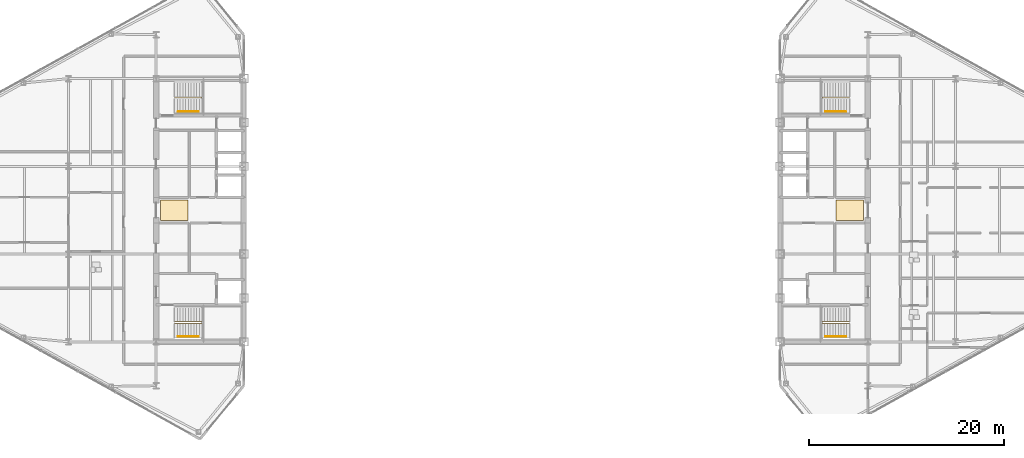
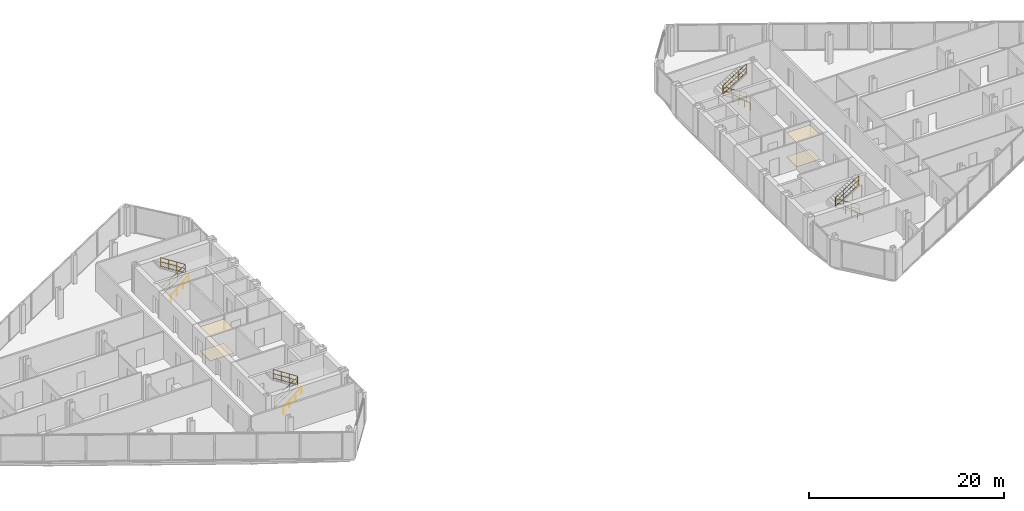
# One storey, part 25 of 26: 8 railings, 4 coverings.
"""IFC4 building model written with IfcOpenShell, lengths in metres."""

from ifc_helpers import new_model, si_unit, direction, frame, origin, origin_2d, place, context, subcontext, project, spatial, polyline, circle, outline, extrude, material, layer, layer_set, type_object, element, save


model = new_model("IFC4")

# Units and contexts
model_context = context("Model", 3, precision=1e-05, world=origin(), true_north=direction((0.0, 1.0)))
body_context = subcontext(model_context, "Body", "Model", "MODEL_VIEW")
ifc_project = project(units=[si_unit("LENGTHUNIT", "METRE"), si_unit("AREAUNIT", "SQUARE_METRE"), si_unit("VOLUMEUNIT", "CUBIC_METRE"), si_unit("PLANEANGLEUNIT", "RADIAN"), si_unit("MASSUNIT", "GRAM", prefix="KILO")], contexts=[model_context])

# Site, building, storey
site_placement = place(None, origin())
site = spatial("IfcSite", under=ifc_project, at=site_placement, CompositionType="ELEMENT")
building_placement = place(site_placement, origin())
building = spatial("IfcBuilding", under=site, at=building_placement, Name="Seokmaru Belvedere", CompositionType="ELEMENT")
storey_placement = place(building_placement, frame((0.0, 0.0, 170.699951171875)))
storey = spatial("IfcBuildingStorey", under=building, at=storey_placement, Name="L45", CompositionType="ELEMENT", Elevation=170.699951171875)

# Coverings
ifc_material_1 = material(Name="Engineered White Oak Timber", Category="wood")
ifc_layer_1 = layer(ifc_material_1, 0.02197265625)
ifc_layer_set_1 = layer_set([ifc_layer_1], Name="Engineered White Oak Timber")
covering_type_1 = type_object("IfcCoveringType", Name="Engineered Oak Residence Floor Finish 22", PredefinedType="FLOORING", material=ifc_layer_set_1)
covering_1_placement = place(storey_placement, origin())
element("IfcCovering", 1, at=covering_1_placement, inside=storey, type_object=covering_type_1, Name="L45 W Foyer Floor Finish", PredefinedType="FLOORING", context=body_context, shape_type="SweptSolid", body=[
    extrude(outline(polyline([(-36.050048828125, -1.050048828125), (-33.25, -1.050048828125), (-33.25, 1.050048828125), (-36.050048828125, 1.050048828125), (-36.050048828125, -1.050048828125)])), origin(), (0.0, 0.0, 1.0), 0.02197265625),
])
covering_2_placement = place(storey_placement, origin())
element("IfcCovering", 2, at=covering_2_placement, inside=storey, type_object=covering_type_1, Name="L45 E Foyer Floor Finish", PredefinedType="FLOORING", context=body_context, shape_type="SweptSolid", body=[
    extrude(outline(polyline([(33.25, -1.050048828125), (36.050048828125, -1.050048828125), (36.050048828125, 1.050048828125), (33.25, 1.050048828125), (33.25, -1.050048828125)])), origin(), (0.0, 0.0, 1.0), 0.02197265625),
])
ifc_material_2 = material(Name="Fire-Rated Gypsum Shaftwall")
ifc_layer_2 = layer(ifc_material_2, 0.02490234375)
ifc_layer_set_2 = layer_set([ifc_layer_2], Name="Fire-Rated Gypsum Shaftwall")
covering_type_2 = type_object("IfcCoveringType", Name="Perforated Acoustic Gypsum Suspended Ceiling 25", PredefinedType="CEILING", material=ifc_layer_set_2)
covering_3_placement = place(storey_placement, frame((0.0, 0.0, 3.030029296875)))
element("IfcCovering", 3, at=covering_3_placement, inside=storey, type_object=covering_type_2, Name="L45 W Lift Foyer Acoustic Ceiling", PredefinedType="CEILING", context=body_context, shape_type="SweptSolid", body=[
    extrude(outline(polyline([(-36.050048828125, -1.050048828125), (-33.25, -1.050048828125), (-33.25, 1.050048828125), (-36.050048828125, 1.050048828125), (-36.050048828125, -1.050048828125)])), origin(), (0.0, 0.0, 1.0), 0.02490234375),
])
covering_4_placement = place(storey_placement, frame((0.0, 0.0, 3.030029296875)))
element("IfcCovering", 4, at=covering_4_placement, inside=storey, type_object=covering_type_2, Name="L45 E Lift Foyer Acoustic Ceiling", PredefinedType="CEILING", context=body_context, shape_type="SweptSolid", body=[
    extrude(outline(polyline([(33.25, -1.050048828125), (36.050048828125, -1.050048828125), (36.050048828125, 1.050048828125), (33.25, 1.050048828125), (33.25, -1.050048828125)])), origin(), (0.0, 0.0, 1.0), 0.02490234375),
])

# Railings
ifc_material_3 = material(Name="Stainless Steel 316", Category="steel")
railing_type_1 = type_object("IfcRailingType", Name="Stainless Steel Wall and Flight Handrail 900", PredefinedType="HANDRAIL", material=ifc_material_3)
for number, where, name in (
    (5, (-34.25, -12.949951171875, 0.0), "L45 Stair ST-W1 Wall Handrail"),
    (6, (-34.25, 10.110107421875, 0.0), "L45 Stair ST-W2 Wall Handrail"),
):
    element("IfcRailing", number, at=place(storey_placement, frame(where)), inside=storey, type_object=railing_type_1, Name=name, PredefinedType="HANDRAIL", context=body_context, shape_type="SweptSolid", body=[
        extrude(circle(Radius=0.02392578125, at=origin_2d()), frame((0.0, 0.0, 0.8759765625), z_axis=(0.759262832861, 0.0, 0.650784104474), x_axis=(0.0, 1.0, 0.0)), (0.0, 0.0, 1.0), 2.765869140625),
        extrude(circle(Radius=0.02099609375, at=origin_2d()), origin(), (0.0, 0.0, 1.0), 0.851806640625),
        extrude(circle(Radius=0.02099609375, at=origin_2d()), frame((0.699951171875, 0.0, 0.60009765625)), (0.0, 0.0, 1.0), 0.851806640625),
        extrude(circle(Radius=0.02099609375, at=origin_2d()), frame((1.400146484375, 0.0, 1.199951171875)), (0.0, 0.0, 1.0), 0.851806640625),
        extrude(circle(Radius=0.02099609375, at=origin_2d()), frame((2.10009765625, 0.0, 1.800048828125)), (0.0, 0.0, 1.0), 0.851806640625),
    ])
for number, where, name in (
    (7, (34.25, -12.949951171875, 0.0), "L45 Stair ST-E1 Wall Handrail"),
    (8, (34.25, 10.110107421875, 0.0), "L45 Stair ST-E2 Wall Handrail"),
):
    element("IfcRailing", number, at=place(storey_placement, frame(where)), inside=storey, type_object=railing_type_1, Name=name, PredefinedType="HANDRAIL", context=body_context, shape_type="SweptSolid", body=[
        extrude(circle(Radius=0.02392578125, at=origin_2d()), frame((0.0, 0.0, 0.8759765625), z_axis=(-0.759262832861, 0.0, 0.650784104474), x_axis=(0.0, -1.0, 0.0)), (0.0, 0.0, 1.0), 2.765869140625),
        extrude(circle(Radius=0.02099609375, at=origin_2d()), origin(), (0.0, 0.0, 1.0), 0.851806640625),
        extrude(circle(Radius=0.02099609375, at=origin_2d()), frame((-0.699951171875, 0.0, 0.60009765625)), (0.0, 0.0, 1.0), 0.851806640625),
        extrude(circle(Radius=0.02099609375, at=origin_2d()), frame((-1.400146484375, 0.0, 1.199951171875)), (0.0, 0.0, 1.0), 0.851806640625),
        extrude(circle(Radius=0.02099609375, at=origin_2d()), frame((-2.10009765625, 0.0, 1.800048828125)), (0.0, 0.0, 1.0), 0.851806640625),
    ])
railing_type_2 = type_object("IfcRailingType", Name="Stair Well and Atrium Steel Guardrail 1200", PredefinedType="GUARDRAIL", material=ifc_material_3)
railing_1_placement = place(storey_placement, frame((-34.60009765625, -11.60009765625, 0.0)))
element("IfcRailing", 9, at=railing_1_placement, inside=storey, type_object=railing_type_2, Name="L45 Stair ST-W1 Inner Well Guardrail", PredefinedType="GUARDRAIL", context=body_context, shape_type="SweptSolid", body=[
    extrude(circle(Radius=0.02392578125, at=origin_2d()), frame((0.0, 0.0, 1.17578125), z_axis=(0.841176092368, 0.0, 0.540761298198), x_axis=(0.0, 1.0, 0.0)), (0.0, 0.0, 1.0), 3.32861328125),
    extrude(circle(Radius=0.02392578125, at=origin_2d()), frame((0.0, 0.0, 0.1201171875), z_axis=(0.841176092368, 0.0, 0.540761298198), x_axis=(0.0, 1.0, 0.0)), (0.0, 0.0, 1.0), 3.32861328125),
    extrude(circle(Radius=0.02392578125, at=origin_2d()), frame((0.0, 0.0, 0.659912109375), z_axis=(0.841176092368, 0.0, 0.540761298198), x_axis=(0.0, 1.0, 0.0)), (0.0, 0.0, 1.0), 3.32861328125),
    extrude(circle(Radius=0.02392578125, at=origin_2d()), frame((2.800048828125, 0.0, 2.97607421875), z_axis=(0.0, 1.0, 0.0), x_axis=(-1.0, 0.0, 0.0)), (0.0, 0.0, 1.0), 0.14013671875),
    extrude(circle(Radius=0.02392578125, at=origin_2d()), frame((2.800048828125, 0.0, 1.920166015625), z_axis=(0.0, 1.0, 0.0), x_axis=(-1.0, 0.0, 0.0)), (0.0, 0.0, 1.0), 0.14013671875),
    extrude(circle(Radius=0.02392578125, at=origin_2d()), frame((2.800048828125, 0.0, 2.4599609375), z_axis=(0.0, 1.0, 0.0), x_axis=(-1.0, 0.0, 0.0)), (0.0, 0.0, 1.0), 0.14013671875),
    extrude(circle(Radius=0.02392578125, at=origin_2d()), frame((2.800048828125, 0.14013671875, 2.97607421875), z_axis=(-0.841176092368, 0.0, 0.540761298198), x_axis=(0.0, -1.0, 0.0)), (0.0, 0.0, 1.0), 3.32861328125),
    extrude(circle(Radius=0.02392578125, at=origin_2d()), frame((2.800048828125, 0.14013671875, 1.920166015625), z_axis=(-0.841176092368, 0.0, 0.540761298198), x_axis=(0.0, -1.0, 0.0)), (0.0, 0.0, 1.0), 3.32861328125),
    extrude(circle(Radius=0.02392578125, at=origin_2d()), frame((2.800048828125, 0.14013671875, 2.4599609375), z_axis=(-0.841176092368, 0.0, 0.540761298198), x_axis=(0.0, -1.0, 0.0)), (0.0, 0.0, 1.0), 3.32861328125),
    extrude(circle(Radius=0.02099609375, at=origin_2d()), origin(), (0.0, 0.0, 1.0), 1.15185546875),
    extrude(circle(Radius=0.02099609375, at=origin_2d()), frame((0.933349609375, 0.0, 0.60009765625)), (0.0, 0.0, 1.0), 1.15185546875),
    extrude(circle(Radius=0.02099609375, at=origin_2d()), frame((1.86669921875, 0.0, 1.199951171875)), (0.0, 0.0, 1.0), 1.15185546875),
    extrude(circle(Radius=0.02099609375, at=origin_2d()), frame((2.800048828125, 0.0, 1.800048828125)), (0.0, 0.0, 1.0), 1.15185546875),
    extrude(circle(Radius=0.02099609375, at=origin_2d()), frame((2.800048828125, 0.14013671875, 1.800048828125)), (0.0, 0.0, 1.0), 1.15185546875),
    extrude(circle(Radius=0.02099609375, at=origin_2d()), frame((1.86669921875, 0.14013671875, 2.400146484375)), (0.0, 0.0, 1.0), 1.15185546875),
    extrude(circle(Radius=0.02099609375, at=origin_2d()), frame((0.933349609375, 0.14013671875, 3.0)), (0.0, 0.0, 1.0), 1.15185546875),
    extrude(circle(Radius=0.02099609375, at=origin_2d()), frame((0.0, 0.14013671875, 3.60009765625)), (0.0, 0.0, 1.0), 1.15185546875),
])
railing_2_placement = place(storey_placement, frame((-34.60009765625, 11.4599609375, 0.0)))
element("IfcRailing", 10, at=railing_2_placement, inside=storey, type_object=railing_type_2, Name="L45 Stair ST-W2 Inner Well Guardrail", PredefinedType="GUARDRAIL", context=body_context, shape_type="SweptSolid", body=[
    extrude(circle(Radius=0.02392578125, at=origin_2d()), frame((0.0, 0.0, 1.17578125), z_axis=(0.841176092368, 0.0, 0.540761298198), x_axis=(0.0, 1.0, 0.0)), (0.0, 0.0, 1.0), 3.32861328125),
    extrude(circle(Radius=0.02392578125, at=origin_2d()), frame((0.0, 0.0, 0.1201171875), z_axis=(0.841176092368, 0.0, 0.540761298198), x_axis=(0.0, 1.0, 0.0)), (0.0, 0.0, 1.0), 3.32861328125),
    extrude(circle(Radius=0.02392578125, at=origin_2d()), frame((0.0, 0.0, 0.659912109375), z_axis=(0.841176092368, 0.0, 0.540761298198), x_axis=(0.0, 1.0, 0.0)), (0.0, 0.0, 1.0), 3.32861328125),
    extrude(circle(Radius=0.02392578125, at=origin_2d()), frame((2.800048828125, 0.0, 2.97607421875), z_axis=(0.0, 1.0, 0.0), x_axis=(-1.0, 0.0, 0.0)), (0.0, 0.0, 1.0), 0.14013671875),
    extrude(circle(Radius=0.02392578125, at=origin_2d()), frame((2.800048828125, 0.0, 1.920166015625), z_axis=(0.0, 1.0, 0.0), x_axis=(-1.0, 0.0, 0.0)), (0.0, 0.0, 1.0), 0.14013671875),
    extrude(circle(Radius=0.02392578125, at=origin_2d()), frame((2.800048828125, 0.0, 2.4599609375), z_axis=(0.0, 1.0, 0.0), x_axis=(-1.0, 0.0, 0.0)), (0.0, 0.0, 1.0), 0.14013671875),
    extrude(circle(Radius=0.02392578125, at=origin_2d()), frame((2.800048828125, 0.14013671875, 2.97607421875), z_axis=(-0.841176092368, 0.0, 0.540761298198), x_axis=(0.0, -1.0, 0.0)), (0.0, 0.0, 1.0), 3.32861328125),
    extrude(circle(Radius=0.02392578125, at=origin_2d()), frame((2.800048828125, 0.14013671875, 1.920166015625), z_axis=(-0.841176092368, 0.0, 0.540761298198), x_axis=(0.0, -1.0, 0.0)), (0.0, 0.0, 1.0), 3.32861328125),
    extrude(circle(Radius=0.02392578125, at=origin_2d()), frame((2.800048828125, 0.14013671875, 2.4599609375), z_axis=(-0.841176092368, 0.0, 0.540761298198), x_axis=(0.0, -1.0, 0.0)), (0.0, 0.0, 1.0), 3.32861328125),
    extrude(circle(Radius=0.02099609375, at=origin_2d()), origin(), (0.0, 0.0, 1.0), 1.15185546875),
    extrude(circle(Radius=0.02099609375, at=origin_2d()), frame((0.933349609375, 0.0, 0.60009765625)), (0.0, 0.0, 1.0), 1.15185546875),
    extrude(circle(Radius=0.02099609375, at=origin_2d()), frame((1.86669921875, 0.0, 1.199951171875)), (0.0, 0.0, 1.0), 1.15185546875),
    extrude(circle(Radius=0.02099609375, at=origin_2d()), frame((2.800048828125, 0.0, 1.800048828125)), (0.0, 0.0, 1.0), 1.15185546875),
    extrude(circle(Radius=0.02099609375, at=origin_2d()), frame((2.800048828125, 0.14013671875, 1.800048828125)), (0.0, 0.0, 1.0), 1.15185546875),
    extrude(circle(Radius=0.02099609375, at=origin_2d()), frame((1.86669921875, 0.14013671875, 2.400146484375)), (0.0, 0.0, 1.0), 1.15185546875),
    extrude(circle(Radius=0.02099609375, at=origin_2d()), frame((0.933349609375, 0.14013671875, 3.0)), (0.0, 0.0, 1.0), 1.15185546875),
    extrude(circle(Radius=0.02099609375, at=origin_2d()), frame((0.0, 0.14013671875, 3.60009765625)), (0.0, 0.0, 1.0), 1.15185546875),
])
railing_3_placement = place(storey_placement, frame((34.60009765625, -11.60009765625, 0.0)))
element("IfcRailing", 11, at=railing_3_placement, inside=storey, type_object=railing_type_2, Name="L45 Stair ST-E1 Inner Well Guardrail", PredefinedType="GUARDRAIL", context=body_context, shape_type="SweptSolid", body=[
    extrude(circle(Radius=0.02392578125, at=origin_2d()), frame((0.0, 0.0, 1.17578125), z_axis=(-0.841176092368, 0.0, 0.540761298198), x_axis=(0.0, -1.0, 0.0)), (0.0, 0.0, 1.0), 3.32861328125),
    extrude(circle(Radius=0.02392578125, at=origin_2d()), frame((0.0, 0.0, 0.1201171875), z_axis=(-0.841176092368, 0.0, 0.540761298198), x_axis=(0.0, -1.0, 0.0)), (0.0, 0.0, 1.0), 3.32861328125),
    extrude(circle(Radius=0.02392578125, at=origin_2d()), frame((0.0, 0.0, 0.659912109375), z_axis=(-0.841176092368, 0.0, 0.540761298198), x_axis=(0.0, -1.0, 0.0)), (0.0, 0.0, 1.0), 3.32861328125),
    extrude(circle(Radius=0.02392578125, at=origin_2d()), frame((-2.800048828125, 0.0, 2.97607421875), z_axis=(0.0, 1.0, 0.0), x_axis=(-1.0, 0.0, 0.0)), (0.0, 0.0, 1.0), 0.14013671875),
    extrude(circle(Radius=0.02392578125, at=origin_2d()), frame((-2.800048828125, 0.0, 1.920166015625), z_axis=(0.0, 1.0, 0.0), x_axis=(-1.0, 0.0, 0.0)), (0.0, 0.0, 1.0), 0.14013671875),
    extrude(circle(Radius=0.02392578125, at=origin_2d()), frame((-2.800048828125, 0.0, 2.4599609375), z_axis=(0.0, 1.0, 0.0), x_axis=(-1.0, 0.0, 0.0)), (0.0, 0.0, 1.0), 0.14013671875),
    extrude(circle(Radius=0.02392578125, at=origin_2d()), frame((-2.800048828125, 0.14013671875, 2.97607421875), z_axis=(0.841176092368, 0.0, 0.540761298198), x_axis=(0.0, 1.0, 0.0)), (0.0, 0.0, 1.0), 3.32861328125),
    extrude(circle(Radius=0.02392578125, at=origin_2d()), frame((-2.800048828125, 0.14013671875, 1.920166015625), z_axis=(0.841176092368, 0.0, 0.540761298198), x_axis=(0.0, 1.0, 0.0)), (0.0, 0.0, 1.0), 3.32861328125),
    extrude(circle(Radius=0.02392578125, at=origin_2d()), frame((-2.800048828125, 0.14013671875, 2.4599609375), z_axis=(0.841176092368, 0.0, 0.540761298198), x_axis=(0.0, 1.0, 0.0)), (0.0, 0.0, 1.0), 3.32861328125),
    extrude(circle(Radius=0.02099609375, at=origin_2d()), origin(), (0.0, 0.0, 1.0), 1.15185546875),
    extrude(circle(Radius=0.02099609375, at=origin_2d()), frame((-0.933349609375, 0.0, 0.60009765625)), (0.0, 0.0, 1.0), 1.15185546875),
    extrude(circle(Radius=0.02099609375, at=origin_2d()), frame((-1.86669921875, 0.0, 1.199951171875)), (0.0, 0.0, 1.0), 1.15185546875),
    extrude(circle(Radius=0.02099609375, at=origin_2d()), frame((-2.800048828125, 0.0, 1.800048828125)), (0.0, 0.0, 1.0), 1.15185546875),
    extrude(circle(Radius=0.02099609375, at=origin_2d()), frame((-2.800048828125, 0.14013671875, 1.800048828125)), (0.0, 0.0, 1.0), 1.15185546875),
    extrude(circle(Radius=0.02099609375, at=origin_2d()), frame((-1.86669921875, 0.14013671875, 2.400146484375)), (0.0, 0.0, 1.0), 1.15185546875),
    extrude(circle(Radius=0.02099609375, at=origin_2d()), frame((-0.933349609375, 0.14013671875, 3.0)), (0.0, 0.0, 1.0), 1.15185546875),
    extrude(circle(Radius=0.02099609375, at=origin_2d()), frame((0.0, 0.14013671875, 3.60009765625)), (0.0, 0.0, 1.0), 1.15185546875),
])
railing_4_placement = place(storey_placement, frame((34.60009765625, 11.4599609375, 0.0)))
element("IfcRailing", 12, at=railing_4_placement, inside=storey, type_object=railing_type_2, Name="L45 Stair ST-E2 Inner Well Guardrail", PredefinedType="GUARDRAIL", context=body_context, shape_type="SweptSolid", body=[
    extrude(circle(Radius=0.02392578125, at=origin_2d()), frame((0.0, 0.0, 1.17578125), z_axis=(-0.841176092368, 0.0, 0.540761298198), x_axis=(0.0, -1.0, 0.0)), (0.0, 0.0, 1.0), 3.32861328125),
    extrude(circle(Radius=0.02392578125, at=origin_2d()), frame((0.0, 0.0, 0.1201171875), z_axis=(-0.841176092368, 0.0, 0.540761298198), x_axis=(0.0, -1.0, 0.0)), (0.0, 0.0, 1.0), 3.32861328125),
    extrude(circle(Radius=0.02392578125, at=origin_2d()), frame((0.0, 0.0, 0.659912109375), z_axis=(-0.841176092368, 0.0, 0.540761298198), x_axis=(0.0, -1.0, 0.0)), (0.0, 0.0, 1.0), 3.32861328125),
    extrude(circle(Radius=0.02392578125, at=origin_2d()), frame((-2.800048828125, 0.0, 2.97607421875), z_axis=(0.0, 1.0, 0.0), x_axis=(-1.0, 0.0, 0.0)), (0.0, 0.0, 1.0), 0.14013671875),
    extrude(circle(Radius=0.02392578125, at=origin_2d()), frame((-2.800048828125, 0.0, 1.920166015625), z_axis=(0.0, 1.0, 0.0), x_axis=(-1.0, 0.0, 0.0)), (0.0, 0.0, 1.0), 0.14013671875),
    extrude(circle(Radius=0.02392578125, at=origin_2d()), frame((-2.800048828125, 0.0, 2.4599609375), z_axis=(0.0, 1.0, 0.0), x_axis=(-1.0, 0.0, 0.0)), (0.0, 0.0, 1.0), 0.14013671875),
    extrude(circle(Radius=0.02392578125, at=origin_2d()), frame((-2.800048828125, 0.14013671875, 2.97607421875), z_axis=(0.841176092368, 0.0, 0.540761298198), x_axis=(0.0, 1.0, 0.0)), (0.0, 0.0, 1.0), 3.32861328125),
    extrude(circle(Radius=0.02392578125, at=origin_2d()), frame((-2.800048828125, 0.14013671875, 1.920166015625), z_axis=(0.841176092368, 0.0, 0.540761298198), x_axis=(0.0, 1.0, 0.0)), (0.0, 0.0, 1.0), 3.32861328125),
    extrude(circle(Radius=0.02392578125, at=origin_2d()), frame((-2.800048828125, 0.14013671875, 2.4599609375), z_axis=(0.841176092368, 0.0, 0.540761298198), x_axis=(0.0, 1.0, 0.0)), (0.0, 0.0, 1.0), 3.32861328125),
    extrude(circle(Radius=0.02099609375, at=origin_2d()), origin(), (0.0, 0.0, 1.0), 1.15185546875),
    extrude(circle(Radius=0.02099609375, at=origin_2d()), frame((-0.933349609375, 0.0, 0.60009765625)), (0.0, 0.0, 1.0), 1.15185546875),
    extrude(circle(Radius=0.02099609375, at=origin_2d()), frame((-1.86669921875, 0.0, 1.199951171875)), (0.0, 0.0, 1.0), 1.15185546875),
    extrude(circle(Radius=0.02099609375, at=origin_2d()), frame((-2.800048828125, 0.0, 1.800048828125)), (0.0, 0.0, 1.0), 1.15185546875),
    extrude(circle(Radius=0.02099609375, at=origin_2d()), frame((-2.800048828125, 0.14013671875, 1.800048828125)), (0.0, 0.0, 1.0), 1.15185546875),
    extrude(circle(Radius=0.02099609375, at=origin_2d()), frame((-1.86669921875, 0.14013671875, 2.400146484375)), (0.0, 0.0, 1.0), 1.15185546875),
    extrude(circle(Radius=0.02099609375, at=origin_2d()), frame((-0.933349609375, 0.14013671875, 3.0)), (0.0, 0.0, 1.0), 1.15185546875),
    extrude(circle(Radius=0.02099609375, at=origin_2d()), frame((0.0, 0.14013671875, 3.60009765625)), (0.0, 0.0, 1.0), 1.15185546875),
])

save(model, "model.ifc")
